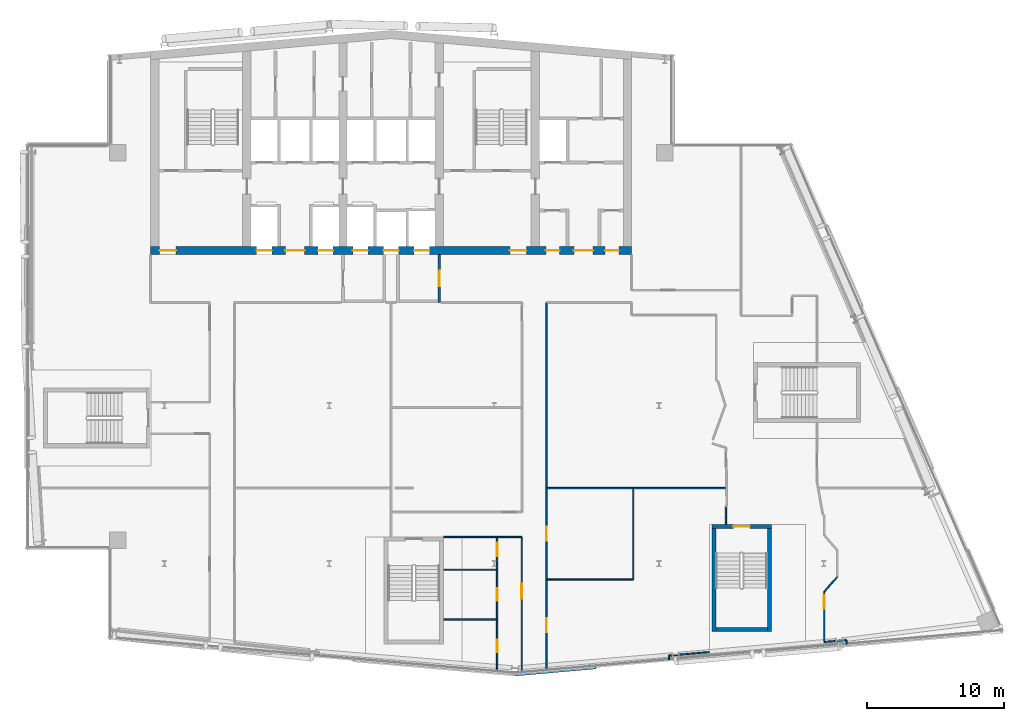
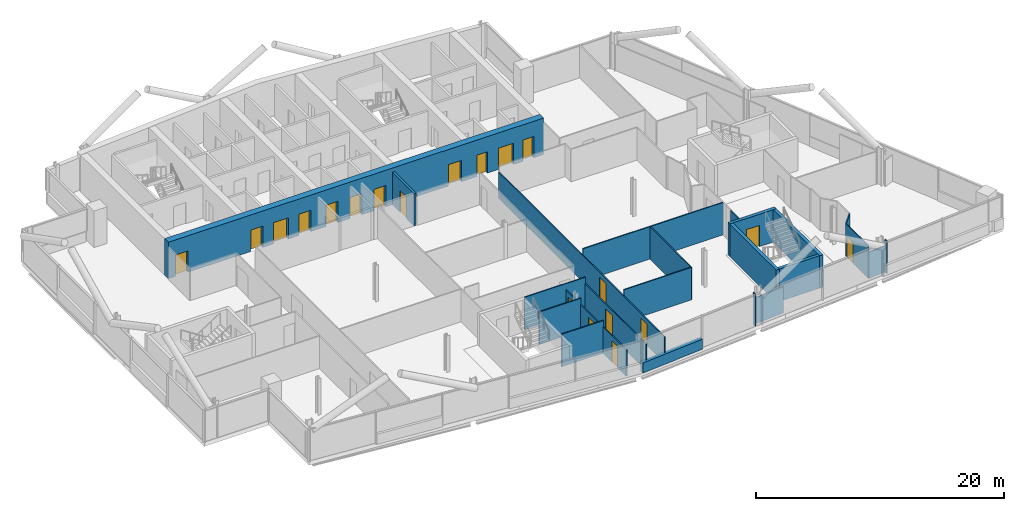
# One storey, part 16 of 28: 23 walls, 20 doors, 20 openings.
"""IFC4 building model written with IfcOpenShell, lengths in metres."""

from ifc_helpers import new_model, si_unit, direction, frame, frame_2d, origin, place, context, subcontext, project, spatial, rectangle, extrude, material, layer, layer_set, type_object, element, fill, save


model = new_model("IFC4")

# Units and contexts
model_context = context("Model", 3, precision=1e-05, world=origin(), true_north=direction((0.0, 1.0)))
body_context = subcontext(model_context, "Body", "Model", "MODEL_VIEW")
ifc_project = project(units=[si_unit("LENGTHUNIT", "METRE"), si_unit("AREAUNIT", "SQUARE_METRE"), si_unit("VOLUMEUNIT", "CUBIC_METRE"), si_unit("PLANEANGLEUNIT", "RADIAN"), si_unit("MASSUNIT", "GRAM", prefix="KILO")], contexts=[model_context])

# Site, building, storey
site_placement = place(None, origin())
site = spatial("IfcSite", under=ifc_project, at=site_placement, CompositionType="ELEMENT")
building_placement = place(site_placement, origin())
building = spatial("IfcBuilding", under=site, at=building_placement, Name="Wharfspan Tower", CompositionType="ELEMENT")
storey_placement = place(building_placement, frame((0.0, 0.0, 250.300049)))
storey = spatial("IfcBuildingStorey", under=building, at=storey_placement, Name="L63", CompositionType="ELEMENT", Elevation=250.300049)

# Wall
ifc_material_1 = material(Name="Gypsum board on steel studs", Category="steel")
ifc_layer_1 = layer(ifc_material_1, 0.100098)
ifc_layer_set_1 = layer_set([ifc_layer_1], Name="Gypsum board on steel studs")
wall_type_1 = type_object("IfcWallType", Name="Compartment wall 100 EI 60", PredefinedType="PARTITIONING", material=ifc_layer_set_1)
wall_1_placement = place(storey_placement, frame((44.327148, 13.439941, 0.0), z_axis=(0.0, 0.0, 1.0), x_axis=(1.0, 0.0, 0.0)))
element("IfcWall", 1, at=wall_1_placement, inside=storey, type_object=wall_type_1, Name="Partition L63.w025", PredefinedType="PARTITIONING", context=body_context, shape_type="SweptSolid", body=[
    extrude(rectangle(XDim=5.682861, YDim=0.100098, at=frame_2d((2.841309, 0.0))), origin(), (0.0, 0.0, 1.0), 3.199951),
])

# Wall, openings, doors
wall_2_placement = place(storey_placement, frame((48.219971, 3.626221, 0.0), z_axis=(0.0, 0.0, 1.0), x_axis=(0.0, 1.0, 0.0)))
wall_2 = element("IfcWall", 2, at=wall_2_placement, inside=storey, type_object=wall_type_1, Name="Partition L63.w026", PredefinedType="PARTITIONING", context=body_context, shape_type="SweptSolid", body=[
    extrude(rectangle(XDim=9.808838, YDim=0.100098, at=frame_2d((4.904297, 0.0))), origin(), (0.0, 0.0, 1.0), 2.579834),
])
opening_1_placement = place(wall_2_placement, frame((1.429688, 0.0, 0.0)))
opening_1 = element("IfcOpeningElement", 3, at=opening_1_placement, cuts=wall_2, Name="Opening D6-01", PredefinedType="OPENING", context=body_context, shape_type="SweptSolid", body=[
    extrude(rectangle(XDim=0.899902, YDim=2.100098, at=frame_2d((0.449951, 1.050049))), frame((0.0, 0.060059, 0.0), z_axis=(0.0, -1.0, 0.0), x_axis=(1.0, 0.0, 0.0)), (0.0, 0.0, 1.0), 0.120117),
])
opening_2_placement = place(wall_2_placement, frame((5.178711, 0.0, 0.0)))
opening_2 = element("IfcOpeningElement", 4, at=opening_2_placement, cuts=wall_2, Name="Opening D6-04", PredefinedType="OPENING", context=body_context, shape_type="SweptSolid", body=[
    extrude(rectangle(XDim=0.899902, YDim=2.100098, at=frame_2d((0.449951, 1.050049))), frame((0.0, 0.060059, 0.0), z_axis=(0.0, -1.0, 0.0), x_axis=(1.0, 0.0, 0.0)), (0.0, 0.0, 1.0), 0.120117),
])
opening_3_placement = place(wall_2_placement, frame((8.394531, 0.0, 0.0)))
opening_3 = element("IfcOpeningElement", 5, at=opening_3_placement, cuts=wall_2, Name="Opening D6-08", PredefinedType="OPENING", context=body_context, shape_type="SweptSolid", body=[
    extrude(rectangle(XDim=1.0, YDim=2.100098, at=frame_2d((0.5, 1.050049))), frame((0.0, 0.060059, 0.0), z_axis=(0.0, -1.0, 0.0), x_axis=(1.0, 0.0, 0.0)), (0.0, 0.0, 1.0), 0.120117),
])
ifc_material_2 = material(Name="Timber door leaf in steel frame", Category="steel")
door_type_1 = type_object("IfcDoorType", Name="Door 1000 NOT RATED Right", OperationType="SINGLE_SWING_RIGHT", PredefinedType="DOOR", material=ifc_material_2)
door_1_placement = place(opening_3_placement, origin())
door_1 = element("IfcDoor", 6, at=door_1_placement, inside=storey, type_object=door_type_1, Name="Door D6-08", OperationType="SINGLE_SWING_RIGHT", OverallHeight=2.100098, OverallWidth=1.0, PredefinedType="DOOR", context=body_context, shape_type="SweptSolid", body=[
    extrude(rectangle(XDim=1.0, YDim=2.100098, at=frame_2d((0.5, 1.050049))), frame((0.0, 0.024902, 0.0), z_axis=(0.0, -1.0, 0.0), x_axis=(1.0, 0.0, 0.0)), (0.0, 0.0, 1.0), 0.050049),
])
fill(opening_3, door_1)
door_type_2 = type_object("IfcDoorType", Name="Door 900 NOT RATED Left", OperationType="SINGLE_SWING_LEFT", PredefinedType="DOOR", material=ifc_material_2)
door_2_placement = place(opening_1_placement, origin())
door_2 = element("IfcDoor", 7, at=door_2_placement, inside=storey, type_object=door_type_2, Name="Door D6-01", OperationType="SINGLE_SWING_LEFT", OverallHeight=2.100098, OverallWidth=0.899902, PredefinedType="DOOR", context=body_context, shape_type="SweptSolid", body=[
    extrude(rectangle(XDim=0.899902, YDim=2.100098, at=frame_2d((0.449951, 1.050049))), frame((0.0, 0.024902, 0.0), z_axis=(0.0, -1.0, 0.0), x_axis=(1.0, 0.0, 0.0)), (0.0, 0.0, 1.0), 0.050049),
])
fill(opening_1, door_2)
door_type_3 = type_object("IfcDoorType", Name="Door 900 NOT RATED Right", OperationType="SINGLE_SWING_RIGHT", PredefinedType="DOOR", material=ifc_material_2)
door_3_placement = place(opening_2_placement, origin())
door_3 = element("IfcDoor", 8, at=door_3_placement, inside=storey, type_object=door_type_3, Name="Door D6-04", OperationType="SINGLE_SWING_RIGHT", OverallHeight=2.100098, OverallWidth=0.899902, PredefinedType="DOOR", context=body_context, shape_type="SweptSolid", body=[
    extrude(rectangle(XDim=0.899902, YDim=2.100098, at=frame_2d((0.449951, 1.050049))), frame((0.0, 0.024902, 0.0), z_axis=(0.0, -1.0, 0.0), x_axis=(1.0, 0.0, 0.0)), (0.0, 0.0, 1.0), 0.050049),
])
fill(opening_2, door_3)

# Wall, opening, door
wall_3_placement = place(storey_placement, frame((50.01001, 3.558838, 0.0), z_axis=(0.0, 0.0, 1.0), x_axis=(0.0, 1.0, 0.0)))
wall_3 = element("IfcWall", 9, at=wall_3_placement, inside=storey, type_object=wall_type_1, Name="Partition L63.w027", PredefinedType="PARTITIONING", context=body_context, shape_type="SweptSolid", body=[
    extrude(rectangle(XDim=9.876221, YDim=0.100098, at=frame_2d((4.937988, 0.0))), origin(), (0.0, 0.0, 1.0), 2.579834),
])
opening_4_placement = place(wall_3_placement, frame((5.38623, 0.0, 0.0)))
opening_4 = element("IfcOpeningElement", 10, at=opening_4_placement, cuts=wall_3, Name="Opening D6-05", PredefinedType="OPENING", context=body_context, shape_type="SweptSolid", body=[
    extrude(rectangle(XDim=1.100098, YDim=2.100098, at=frame_2d((0.550049, 1.050049))), frame((0.0, 0.060059, 0.0), z_axis=(0.0, -1.0, 0.0), x_axis=(1.0, 0.0, 0.0)), (0.0, 0.0, 1.0), 0.120117),
])
ifc_material_3 = material(Name="Fire-rated timber door leaf in steel frame", Category="steel")
door_type_4 = type_object("IfcDoorType", Name="Door 1100 FD30S Right", OperationType="SINGLE_SWING_RIGHT", PredefinedType="DOOR", material=ifc_material_3)
door_4_placement = place(opening_4_placement, origin())
door_4 = element("IfcDoor", 11, at=door_4_placement, inside=storey, type_object=door_type_4, Name="Door D6-05", OperationType="SINGLE_SWING_RIGHT", OverallHeight=2.100098, OverallWidth=1.100098, PredefinedType="DOOR", context=body_context, shape_type="SweptSolid", body=[
    extrude(rectangle(XDim=1.100098, YDim=2.100098, at=frame_2d((0.550049, 1.050049))), frame((0.0, 0.024902, 0.0), z_axis=(0.0, -1.0, 0.0), x_axis=(1.0, 0.0, 0.0)), (0.0, 0.0, 1.0), 0.050049),
])
fill(opening_4, door_4)

# Wall, openings, doors
wall_4_placement = place(storey_placement, frame((51.820068, 3.717285, 0.0), z_axis=(0.0, 0.0, 1.0), x_axis=(0.0, 1.0, 0.0)))
wall_4 = element("IfcWall", 12, at=wall_4_placement, inside=storey, type_object=wall_type_1, Name="Partition L63.w029", PredefinedType="PARTITIONING", context=body_context, shape_type="SweptSolid", body=[
    extrude(rectangle(XDim=26.782715, YDim=0.100098, at=frame_2d((13.391357, 0.0))), origin(), (0.0, 0.0, 1.0), 2.579834),
])
opening_5_placement = place(wall_4_placement, frame((2.797607, 0.0, 0.0)))
opening_5 = element("IfcOpeningElement", 13, at=opening_5_placement, cuts=wall_4, Name="Opening D6-02", PredefinedType="OPENING", context=body_context, shape_type="SweptSolid", body=[
    extrude(rectangle(XDim=1.0, YDim=2.100098, at=frame_2d((0.5, 1.050049))), frame((0.0, 0.060059, 0.0), z_axis=(0.0, -1.0, 0.0), x_axis=(1.0, 0.0, 0.0)), (0.0, 0.0, 1.0), 0.120117),
])
opening_6_placement = place(wall_4_placement, frame((9.452881, 0.0, 0.0)))
opening_6 = element("IfcOpeningElement", 14, at=opening_6_placement, cuts=wall_4, Name="Opening D6-09", PredefinedType="OPENING", context=body_context, shape_type="SweptSolid", body=[
    extrude(rectangle(XDim=1.0, YDim=2.100098, at=frame_2d((0.5, 1.050049))), frame((0.0, 0.060059, 0.0), z_axis=(0.0, -1.0, 0.0), x_axis=(1.0, 0.0, 0.0)), (0.0, 0.0, 1.0), 0.120117),
])
door_type_5 = type_object("IfcDoorType", Name="Door 1000 FD30S Left", OperationType="SINGLE_SWING_LEFT", PredefinedType="DOOR", material=ifc_material_3)
door_5_placement = place(opening_5_placement, origin())
door_5 = element("IfcDoor", 15, at=door_5_placement, inside=storey, type_object=door_type_5, Name="Door D6-02", OperationType="SINGLE_SWING_LEFT", OverallHeight=2.100098, OverallWidth=1.0, PredefinedType="DOOR", context=body_context, shape_type="SweptSolid", body=[
    extrude(rectangle(XDim=1.0, YDim=2.100098, at=frame_2d((0.5, 1.050049))), frame((0.0, 0.024902, 0.0), z_axis=(0.0, -1.0, 0.0), x_axis=(1.0, 0.0, 0.0)), (0.0, 0.0, 1.0), 0.050049),
])
fill(opening_5, door_5)
door_6_placement = place(opening_6_placement, origin())
door_6 = element("IfcDoor", 16, at=door_6_placement, inside=storey, type_object=door_type_5, Name="Door D6-09", OperationType="SINGLE_SWING_LEFT", OverallHeight=2.100098, OverallWidth=1.0, PredefinedType="DOOR", context=body_context, shape_type="SweptSolid", body=[
    extrude(rectangle(XDim=1.0, YDim=2.100098, at=frame_2d((0.5, 1.050049))), frame((0.0, 0.024902, 0.0), z_axis=(0.0, -1.0, 0.0), x_axis=(1.0, 0.0, 0.0)), (0.0, 0.0, 1.0), 0.050049),
])
fill(opening_6, door_6)

# Walls
wall_5_placement = place(storey_placement, frame((51.820068, 10.344971, 0.0), z_axis=(0.0, 0.0, 1.0), x_axis=(1.0, 0.0, 0.0)))
element("IfcWall", 17, at=wall_5_placement, inside=storey, type_object=wall_type_1, Name="Partition L63.w030", PredefinedType="PARTITIONING", context=body_context, shape_type="SweptSolid", body=[
    extrude(rectangle(XDim=6.304932, YDim=0.100098, at=frame_2d((3.152344, 0.0))), origin(), (0.0, 0.0, 1.0), 3.199951),
])
wall_6_placement = place(storey_placement, frame((51.820068, 16.995117, 0.0), z_axis=(0.0, 0.0, 1.0), x_axis=(1.0, 0.0, 0.0)))
element("IfcWall", 18, at=wall_6_placement, inside=storey, type_object=wall_type_1, Name="Partition L63.w031", PredefinedType="PARTITIONING", context=body_context, shape_type="SweptSolid", body=[
    extrude(rectangle(XDim=13.099854, YDim=0.100098, at=frame_2d((6.549805, 0.0))), origin(), (0.0, 0.0, 1.0), 3.199951),
])
wall_7_placement = place(storey_placement, frame((64.870117, 14.366211, 0.0), z_axis=(0.0, 0.0, 1.0), x_axis=(0.0, 1.0, 0.0)))
element("IfcWall", 19, at=wall_7_placement, inside=storey, type_object=wall_type_1, Name="Partition L63.w044", PredefinedType="PARTITIONING", context=body_context, shape_type="SweptSolid", body=[
    extrude(rectangle(XDim=1.278809, YDim=0.100098, at=frame_2d((0.639404, 0.0))), origin(), (0.0, 0.0, 1.0), 3.199951),
])

# Wall, opening, door
wall_8_placement = place(storey_placement, frame((72.024902, 5.794922, 0.0), z_axis=(0.0, 0.0, 1.0), x_axis=(0.0, 1.0, 0.0)))
wall_8 = element("IfcWall", 20, at=wall_8_placement, inside=storey, type_object=wall_type_1, Name="Partition L63.w058", PredefinedType="PARTITIONING", context=body_context, shape_type="SweptSolid", body=[
    extrude(rectangle(XDim=3.655029, YDim=0.100098, at=frame_2d((1.827637, 0.0))), origin(), (0.0, 0.0, 1.0), 3.199951),
])
opening_7_placement = place(wall_8_placement, frame((2.419678, 0.0, 0.0)))
opening_7 = element("IfcOpeningElement", 21, at=opening_7_placement, cuts=wall_8, Name="Opening D6-03", PredefinedType="OPENING", context=body_context, shape_type="SweptSolid", body=[
    extrude(rectangle(XDim=1.0, YDim=2.100098, at=frame_2d((0.5, 1.050049))), frame((0.0, 0.060059, 0.0), z_axis=(0.0, -1.0, 0.0), x_axis=(1.0, 0.0, 0.0)), (0.0, 0.0, 1.0), 0.120117),
])
door_type_6 = type_object("IfcDoorType", Name="Door 1000 FD30S Right", OperationType="SINGLE_SWING_RIGHT", PredefinedType="DOOR", material=ifc_material_3)
door_7_placement = place(opening_7_placement, origin())
door_7 = element("IfcDoor", 22, at=door_7_placement, inside=storey, type_object=door_type_6, Name="Door D6-03", OperationType="SINGLE_SWING_RIGHT", OverallHeight=2.100098, OverallWidth=1.0, PredefinedType="DOOR", context=body_context, shape_type="SweptSolid", body=[
    extrude(rectangle(XDim=1.0, YDim=2.100098, at=frame_2d((0.5, 1.050049))), frame((0.0, 0.024902, 0.0), z_axis=(0.0, -1.0, 0.0), x_axis=(1.0, 0.0, 0.0)), (0.0, 0.0, 1.0), 0.050049),
])
fill(opening_7, door_7)

# Walls
wall_9_placement = place(storey_placement, frame((72.024902, 5.794922, 0.0), z_axis=(0.0, 0.0, 1.0), x_axis=(0.996236, 0.086708, 0.0)))
element("IfcWall", 23, at=wall_9_placement, inside=storey, type_object=wall_type_1, Name="Partition L63.w061", PredefinedType="PARTITIONING", context=body_context, shape_type="SweptSolid", body=[
    extrude(rectangle(XDim=1.616211, YDim=0.100098, at=frame_2d((0.808105, 0.0))), origin(), (0.0, 0.0, 1.0), 2.579834),
])
wall_10_placement = place(storey_placement, frame((72.024902, 9.449951, 0.0), z_axis=(0.0, 0.0, 1.0), x_axis=(0.662295, 0.749251, 0.0)))
element("IfcWall", 24, at=wall_10_placement, inside=storey, type_object=wall_type_1, Name="Partition L63.w062", PredefinedType="PARTITIONING", context=body_context, shape_type="SweptSolid", body=[
    extrude(rectangle(XDim=1.434814, YDim=0.100098, at=frame_2d((0.717285, 0.0))), origin(), (0.0, 0.0, 1.0), 3.199951),
])

# Wall, openings, doors
ifc_material_4 = material(Name="Concrete C50/60", Category="concrete")
ifc_layer_2 = layer(ifc_material_4, 0.600098)
ifc_layer_set_2 = layer_set([ifc_layer_2], Name="Concrete C50/60")
wall_type_2 = type_object("IfcWallType", Name="Core wall 600 C50/60", PredefinedType="SHEAR", material=ifc_layer_set_2)
wall_11_placement = place(storey_placement, frame((23.0, 34.300049, 0.0), z_axis=(0.0, 0.0, 1.0), x_axis=(1.0, 0.0, 0.0)))
wall_11 = element("IfcWall", 25, at=wall_11_placement, inside=storey, type_object=wall_type_2, Name="Core front wall L63", PredefinedType="SHEAR", context=body_context, shape_type="SweptSolid", body=[
    extrude(rectangle(XDim=35.0, YDim=0.600098, at=frame_2d((17.5, 0.0))), origin(), (0.0, 0.0, 1.0), 3.599854),
])
opening_8_placement = place(wall_11_placement, frame((0.649902, 0.0, 0.0)))
opening_8 = element("IfcOpeningElement", 26, at=opening_8_placement, cuts=wall_11, Name="Opening SV2.L63", PredefinedType="OPENING", context=body_context, shape_type="SweptSolid", body=[
    extrude(rectangle(XDim=1.199951, YDim=2.100098, at=frame_2d((0.600098, 1.050049))), frame((0.0, 0.310059, 0.0), z_axis=(0.0, -1.0, 0.0), x_axis=(1.0, 0.0, 0.0)), (0.0, 0.0, 1.0), 0.620117),
])
opening_9_placement = place(wall_11_placement, frame((7.716797, 0.0, 0.0)))
opening_9 = element("IfcOpeningElement", 27, at=opening_9_placement, cuts=wall_11, Name="Opening LD.SL1.L63", PredefinedType="OPENING", context=body_context, shape_type="SweptSolid", body=[
    extrude(rectangle(XDim=1.100098, YDim=2.100098, at=frame_2d((0.550049, 1.050049))), frame((0.0, 0.310059, 0.0), z_axis=(0.0, -1.0, 0.0), x_axis=(1.0, 0.0, 0.0)), (0.0, 0.0, 1.0), 0.620117),
])
opening_10_placement = place(wall_11_placement, frame((12.18335, 0.0, 0.0)))
opening_10 = element("IfcOpeningElement", 28, at=opening_10_placement, cuts=wall_11, Name="Opening LD.SL2.L63", PredefinedType="OPENING", context=body_context, shape_type="SweptSolid", body=[
    extrude(rectangle(XDim=1.100098, YDim=2.100098, at=frame_2d((0.550049, 1.050049))), frame((0.0, 0.310059, 0.0), z_axis=(0.0, -1.0, 0.0), x_axis=(1.0, 0.0, 0.0)), (0.0, 0.0, 1.0), 0.620117),
])
opening_11_placement = place(wall_11_placement, frame((9.800049, 0.0, 0.0)))
opening_11 = element("IfcOpeningElement", 29, at=opening_11_placement, cuts=wall_11, Name="Opening HD63.3", PredefinedType="OPENING", context=body_context, shape_type="SweptSolid", body=[
    extrude(rectangle(XDim=1.399902, YDim=2.100098, at=frame_2d((0.699951, 1.050049))), frame((0.0, 0.310059, 0.0), z_axis=(0.0, -1.0, 0.0), x_axis=(1.0, 0.0, 0.0)), (0.0, 0.0, 1.0), 0.620117),
])
opening_12_placement = place(wall_11_placement, frame((14.716797, 0.0, 0.0)))
opening_12 = element("IfcOpeningElement", 30, at=opening_12_placement, cuts=wall_11, Name="Opening LD.FF1.L63", PredefinedType="OPENING", context=body_context, shape_type="SweptSolid", body=[
    extrude(rectangle(XDim=1.100098, YDim=2.100098, at=frame_2d((0.550049, 1.050049))), frame((0.0, 0.310059, 0.0), z_axis=(0.0, -1.0, 0.0), x_axis=(1.0, 0.0, 0.0)), (0.0, 0.0, 1.0), 0.620117),
])
opening_13_placement = place(wall_11_placement, frame((16.949951, 0.0, 0.0)))
opening_13 = element("IfcOpeningElement", 31, at=opening_13_placement, cuts=wall_11, Name="Opening LD.LB7.L63", PredefinedType="OPENING", context=body_context, shape_type="SweptSolid", body=[
    extrude(rectangle(XDim=1.100098, YDim=2.100098, at=frame_2d((0.550049, 1.050049))), frame((0.0, 0.310059, 0.0), z_axis=(0.0, -1.0, 0.0), x_axis=(1.0, 0.0, 0.0)), (0.0, 0.0, 1.0), 0.620117),
])
opening_14_placement = place(wall_11_placement, frame((19.18335, 0.0, 0.0)))
opening_14 = element("IfcOpeningElement", 32, at=opening_14_placement, cuts=wall_11, Name="Opening LD.FF2.L63", PredefinedType="OPENING", context=body_context, shape_type="SweptSolid", body=[
    extrude(rectangle(XDim=1.100098, YDim=2.100098, at=frame_2d((0.550049, 1.050049))), frame((0.0, 0.310059, 0.0), z_axis=(0.0, -1.0, 0.0), x_axis=(1.0, 0.0, 0.0)), (0.0, 0.0, 1.0), 0.620117),
])
opening_15_placement = place(wall_11_placement, frame((26.149902, 0.0, 0.0)))
opening_15 = element("IfcOpeningElement", 33, at=opening_15_placement, cuts=wall_11, Name="Opening SV5.L63", PredefinedType="OPENING", context=body_context, shape_type="SweptSolid", body=[
    extrude(rectangle(XDim=1.199951, YDim=2.100098, at=frame_2d((0.600098, 1.050049))), frame((0.0, 0.310059, 0.0), z_axis=(0.0, -1.0, 0.0), x_axis=(1.0, 0.0, 0.0)), (0.0, 0.0, 1.0), 0.620117),
])
opening_16_placement = place(wall_11_placement, frame((28.766602, 0.0, 0.0)))
opening_16 = element("IfcOpeningElement", 34, at=opening_16_placement, cuts=wall_11, Name="Opening CD63.6F1", PredefinedType="OPENING", context=body_context, shape_type="SweptSolid", body=[
    extrude(rectangle(XDim=1.0, YDim=2.100098, at=frame_2d((0.5, 1.050049))), frame((0.0, 0.310059, 0.0), z_axis=(0.0, -1.0, 0.0), x_axis=(1.0, 0.0, 0.0)), (0.0, 0.0, 1.0), 0.620117),
])
opening_17_placement = place(wall_11_placement, frame((33.083252, 0.0, 0.0)))
opening_17 = element("IfcOpeningElement", 35, at=opening_17_placement, cuts=wall_11, Name="Opening CD63.6F3", PredefinedType="OPENING", context=body_context, shape_type="SweptSolid", body=[
    extrude(rectangle(XDim=1.0, YDim=2.100098, at=frame_2d((0.5, 1.050049))), frame((0.0, 0.310059, 0.0), z_axis=(0.0, -1.0, 0.0), x_axis=(1.0, 0.0, 0.0)), (0.0, 0.0, 1.0), 0.620117),
])
opening_18_placement = place(wall_11_placement, frame((30.800049, 0.0, 0.0)))
opening_18 = element("IfcOpeningElement", 36, at=opening_18_placement, cuts=wall_11, Name="Opening HD63.6", PredefinedType="OPENING", context=body_context, shape_type="SweptSolid", body=[
    extrude(rectangle(XDim=1.399902, YDim=2.100098, at=frame_2d((0.699951, 1.050049))), frame((0.0, 0.310059, 0.0), z_axis=(0.0, -1.0, 0.0), x_axis=(1.0, 0.0, 0.0)), (0.0, 0.0, 1.0), 0.620117),
])
ifc_material_5 = material(Name="Steel door leaf", Category="steel")
door_type_7 = type_object("IfcDoorType", Name="Core room door 1000x2100", OperationType="SINGLE_SWING_LEFT", PredefinedType="DOOR", material=ifc_material_5)
door_8_placement = place(opening_16_placement, origin())
door_8 = element("IfcDoor", 37, at=door_8_placement, inside=storey, type_object=door_type_7, Name="d:L63:6:fd6.1", OperationType="SINGLE_SWING_LEFT", OverallHeight=2.100098, OverallWidth=1.0, PredefinedType="DOOR", context=body_context, shape_type="SweptSolid", body=[
    extrude(rectangle(XDim=1.0, YDim=2.100098, at=frame_2d((0.5, 1.050049))), frame((0.0, 0.024902, 0.0), z_axis=(0.0, -1.0, 0.0), x_axis=(1.0, 0.0, 0.0)), (0.0, 0.0, 1.0), 0.050049),
])
fill(opening_16, door_8)
door_9_placement = place(opening_17_placement, origin())
door_9 = element("IfcDoor", 38, at=door_9_placement, inside=storey, type_object=door_type_7, Name="d:L63:6:fd6.3", OperationType="SINGLE_SWING_LEFT", OverallHeight=2.100098, OverallWidth=1.0, PredefinedType="DOOR", context=body_context, shape_type="SweptSolid", body=[
    extrude(rectangle(XDim=1.0, YDim=2.100098, at=frame_2d((0.5, 1.050049))), frame((0.0, 0.024902, 0.0), z_axis=(0.0, -1.0, 0.0), x_axis=(1.0, 0.0, 0.0)), (0.0, 0.0, 1.0), 0.050049),
])
fill(opening_17, door_9)
door_type_8 = type_object("IfcDoorType", Name="Hall entry door 1400x2100", OperationType="DOUBLE_DOOR_SINGLE_SWING", PredefinedType="DOOR", material=ifc_material_5)
door_10_placement = place(opening_11_placement, origin())
door_10 = element("IfcDoor", 39, at=door_10_placement, inside=storey, type_object=door_type_8, Name="d:L63:3:hd3", OperationType="DOUBLE_DOOR_SINGLE_SWING", OverallHeight=2.100098, OverallWidth=1.399902, PredefinedType="DOOR", context=body_context, shape_type="SweptSolid", body=[
    extrude(rectangle(XDim=1.399902, YDim=2.100098, at=frame_2d((0.699951, 1.050049))), frame((0.0, 0.024902, 0.0), z_axis=(0.0, -1.0, 0.0), x_axis=(1.0, 0.0, 0.0)), (0.0, 0.0, 1.0), 0.050049),
])
fill(opening_11, door_10)
door_11_placement = place(opening_18_placement, origin())
door_11 = element("IfcDoor", 40, at=door_11_placement, inside=storey, type_object=door_type_8, Name="d:L63:6:hd6", OperationType="DOUBLE_DOOR_SINGLE_SWING", OverallHeight=2.100098, OverallWidth=1.399902, PredefinedType="DOOR", context=body_context, shape_type="SweptSolid", body=[
    extrude(rectangle(XDim=1.399902, YDim=2.100098, at=frame_2d((0.699951, 1.050049))), frame((0.0, 0.024902, 0.0), z_axis=(0.0, -1.0, 0.0), x_axis=(1.0, 0.0, 0.0)), (0.0, 0.0, 1.0), 0.050049),
])
fill(opening_18, door_11)
ifc_material_6 = material(Name="Stainless steel", Category="steel")
door_type_9 = type_object("IfcDoorType", Name="Lift landing door 1100x2100", OperationType="DOUBLE_DOOR_SLIDING", PredefinedType="DOOR", material=ifc_material_6)
door_12_placement = place(opening_9_placement, origin())
door_12 = element("IfcDoor", 41, at=door_12_placement, inside=storey, type_object=door_type_9, Name="Landing door SL1 L63", OperationType="DOUBLE_DOOR_SLIDING", OverallHeight=2.100098, OverallWidth=1.100098, PredefinedType="DOOR", context=body_context, shape_type="SweptSolid", body=[
    extrude(rectangle(XDim=1.100098, YDim=2.100098, at=frame_2d((0.550049, 1.050049))), frame((0.0, 0.024902, 0.0), z_axis=(0.0, -1.0, 0.0), x_axis=(1.0, 0.0, 0.0)), (0.0, 0.0, 1.0), 0.050049),
])
fill(opening_9, door_12)
door_13_placement = place(opening_10_placement, origin())
door_13 = element("IfcDoor", 42, at=door_13_placement, inside=storey, type_object=door_type_9, Name="Landing door SL2 L63", OperationType="DOUBLE_DOOR_SLIDING", OverallHeight=2.100098, OverallWidth=1.100098, PredefinedType="DOOR", context=body_context, shape_type="SweptSolid", body=[
    extrude(rectangle(XDim=1.100098, YDim=2.100098, at=frame_2d((0.550049, 1.050049))), frame((0.0, 0.024902, 0.0), z_axis=(0.0, -1.0, 0.0), x_axis=(1.0, 0.0, 0.0)), (0.0, 0.0, 1.0), 0.050049),
])
fill(opening_10, door_13)
door_14_placement = place(opening_12_placement, origin())
door_14 = element("IfcDoor", 43, at=door_14_placement, inside=storey, type_object=door_type_9, Name="Landing door FF1 L63", OperationType="DOUBLE_DOOR_SLIDING", OverallHeight=2.100098, OverallWidth=1.100098, PredefinedType="DOOR", context=body_context, shape_type="SweptSolid", body=[
    extrude(rectangle(XDim=1.100098, YDim=2.100098, at=frame_2d((0.550049, 1.050049))), frame((0.0, 0.024902, 0.0), z_axis=(0.0, -1.0, 0.0), x_axis=(1.0, 0.0, 0.0)), (0.0, 0.0, 1.0), 0.050049),
])
fill(opening_12, door_14)
door_15_placement = place(opening_13_placement, origin())
door_15 = element("IfcDoor", 44, at=door_15_placement, inside=storey, type_object=door_type_9, Name="Landing door LB7 L63", OperationType="DOUBLE_DOOR_SLIDING", OverallHeight=2.100098, OverallWidth=1.100098, PredefinedType="DOOR", context=body_context, shape_type="SweptSolid", body=[
    extrude(rectangle(XDim=1.100098, YDim=2.100098, at=frame_2d((0.550049, 1.050049))), frame((0.0, 0.024902, 0.0), z_axis=(0.0, -1.0, 0.0), x_axis=(1.0, 0.0, 0.0)), (0.0, 0.0, 1.0), 0.050049),
])
fill(opening_13, door_15)
door_16_placement = place(opening_14_placement, origin())
door_16 = element("IfcDoor", 45, at=door_16_placement, inside=storey, type_object=door_type_9, Name="Landing door FF2 L63", OperationType="DOUBLE_DOOR_SLIDING", OverallHeight=2.100098, OverallWidth=1.100098, PredefinedType="DOOR", context=body_context, shape_type="SweptSolid", body=[
    extrude(rectangle(XDim=1.100098, YDim=2.100098, at=frame_2d((0.550049, 1.050049))), frame((0.0, 0.024902, 0.0), z_axis=(0.0, -1.0, 0.0), x_axis=(1.0, 0.0, 0.0)), (0.0, 0.0, 1.0), 0.050049),
])
fill(opening_14, door_16)
door_type_10 = type_object("IfcDoorType", Name="Stair door 1200x2100", OperationType="SINGLE_SWING_LEFT", PredefinedType="DOOR", material=ifc_material_5)
door_17_placement = place(opening_8_placement, origin())
door_17 = element("IfcDoor", 46, at=door_17_placement, inside=storey, type_object=door_type_10, Name="vd:L63:2", OperationType="SINGLE_SWING_LEFT", OverallHeight=2.100098, OverallWidth=1.199951, PredefinedType="DOOR", context=body_context, shape_type="SweptSolid", body=[
    extrude(rectangle(XDim=1.199951, YDim=2.100098, at=frame_2d((0.600098, 1.050049))), frame((0.0, 0.024902, 0.0), z_axis=(0.0, -1.0, 0.0), x_axis=(1.0, 0.0, 0.0)), (0.0, 0.0, 1.0), 0.050049),
])
fill(opening_8, door_17)
door_18_placement = place(opening_15_placement, origin())
door_18 = element("IfcDoor", 47, at=door_18_placement, inside=storey, type_object=door_type_10, Name="vd:L63:5", OperationType="SINGLE_SWING_LEFT", OverallHeight=2.100098, OverallWidth=1.199951, PredefinedType="DOOR", context=body_context, shape_type="SweptSolid", body=[
    extrude(rectangle(XDim=1.199951, YDim=2.100098, at=frame_2d((0.600098, 1.050049))), frame((0.0, 0.024902, 0.0), z_axis=(0.0, -1.0, 0.0), x_axis=(1.0, 0.0, 0.0)), (0.0, 0.0, 1.0), 0.050049),
])
fill(opening_15, door_18)

# Wall, opening, door
ifc_material_7 = material(Name="Concrete C30/37", Category="concrete")
ifc_layer_3 = layer(ifc_material_7, 0.199951)
ifc_layer_set_3 = layer_set([ifc_layer_3], Name="Concrete C30/37")
wall_type_3 = type_object("IfcWallType", Name="Lobby wall 200", PredefinedType="PARTITIONING", material=ifc_layer_set_3)
wall_12_placement = place(storey_placement, frame((44.0, 30.5, 0.0), z_axis=(0.0, 0.0, 1.0), x_axis=(0.0, 1.0, 0.0)))
wall_12 = element("IfcWall", 48, at=wall_12_placement, inside=storey, type_object=wall_type_3, Name="sw:L63:FLFF2E", PredefinedType="PARTITIONING", context=body_context, shape_type="SweptSolid", body=[
    extrude(rectangle(XDim=3.5, YDim=0.199951, at=frame_2d((1.75, 0.0))), origin(), (0.0, 0.0, 1.0), 3.199951),
])
opening_19_placement = place(wall_12_placement, frame((1.199951, 0.0, 0.0)))
opening_19 = element("IfcOpeningElement", 49, at=opening_19_placement, cuts=wall_12, Name="Opening FL.FF2.L63", PredefinedType="OPENING", context=body_context, shape_type="SweptSolid", body=[
    extrude(rectangle(XDim=1.100098, YDim=2.100098, at=frame_2d((0.550049, 1.050049))), frame((0.0, 0.109863, 0.0), z_axis=(0.0, -1.0, 0.0), x_axis=(1.0, 0.0, 0.0)), (0.0, 0.0, 1.0), 0.219971),
])
door_type_11 = type_object("IfcDoorType", Name="Firefighting lobby door 1100x2100", OperationType="SINGLE_SWING_LEFT", PredefinedType="DOOR", material=ifc_material_5)
door_19_placement = place(opening_19_placement, origin())
door_19 = element("IfcDoor", 50, at=door_19_placement, inside=storey, type_object=door_type_11, Name="fd:L63:FF2", OperationType="SINGLE_SWING_LEFT", OverallHeight=2.100098, OverallWidth=1.100098, PredefinedType="DOOR", context=body_context, shape_type="SweptSolid", body=[
    extrude(rectangle(XDim=1.100098, YDim=2.100098, at=frame_2d((0.550049, 1.050049))), frame((0.0, 0.024902, 0.0), z_axis=(0.0, -1.0, 0.0), x_axis=(1.0, 0.0, 0.0)), (0.0, 0.0, 1.0), 0.050049),
])
fill(opening_19, door_19)

# Walls
ifc_layer_4 = layer(ifc_material_1, 0.100098)
ifc_layer_set_4 = layer_set([ifc_layer_4], Name="Gypsum board on steel studs")
wall_type_4 = type_object("IfcWallType", Name="Partition 100", PredefinedType="PARTITIONING", material=ifc_layer_set_4)
for number, where, z_axis, x_axis, name in (
    (51, (44.327148, 7.425049, 0.0), (0.0, 0.0, 1.0), (1.0, 0.0, 0.0), "Partition L63.w023"),
    (52, (44.327148, 11.054932, 0.0), (0.0, 0.0, 1.0), (1.0, 0.0, 0.0), "Partition L63.w024"),
):
    element("IfcWall", number, at=place(storey_placement, frame(where, z_axis=z_axis, x_axis=x_axis)), inside=storey, type_object=wall_type_4, Name=name, PredefinedType="PARTITIONING", context=body_context, shape_type="SweptSolid", body=[
        extrude(rectangle(XDim=3.892822, YDim=0.100098, at=frame_2d((1.946289, 0.0))), origin(), (0.0, 0.0, 1.0), 3.199951),
    ])
wall_13_placement = place(storey_placement, frame((58.125, 10.350098, 0.0), z_axis=(0.0, 0.0, 1.0), x_axis=(0.0, 1.0, 0.0)))
element("IfcWall", 53, at=wall_13_placement, inside=storey, type_object=wall_type_4, Name="Partition L63.w037", PredefinedType="PARTITIONING", context=body_context, shape_type="SweptSolid", body=[
    extrude(rectangle(XDim=6.64502, YDim=0.100098, at=frame_2d((3.32251, 0.0))), origin(), (0.0, 0.0, 1.0), 3.199951),
])
wall_14_placement = place(storey_placement, frame((60.705078, 4.804932, 0.0), z_axis=(0.0, 0.0, 1.0), x_axis=(0.996324, 0.085692, 0.0)))
element("IfcWall", 54, at=wall_14_placement, inside=storey, type_object=wall_type_4, Name="Partition L63.w038", PredefinedType="PARTITIONING", context=body_context, shape_type="SweptSolid", body=[
    extrude(rectangle(XDim=2.95459, YDim=0.100098, at=frame_2d((1.477295, 0.0))), origin(), (0.0, 0.0, 1.0), 2.579834),
])
wall_15_placement = place(storey_placement, frame((60.73291, 4.49707, 0.0), z_axis=(0.0, 0.0, 1.0), x_axis=(-0.090037, 0.995936, 0.0)))
element("IfcWall", 55, at=wall_15_placement, inside=storey, type_object=wall_type_4, Name="Partition L63.w039", PredefinedType="PARTITIONING", context=body_context, shape_type="SweptSolid", body=[
    extrude(rectangle(XDim=0.309082, YDim=0.100098, at=frame_2d((0.154541, 0.0))), origin(), (0.0, 0.0, 1.0), 3.199951),
])
wall_16_placement = place(storey_placement, frame((73.66333, 5.628174, 0.0), z_axis=(0.0, 0.0, 1.0), x_axis=(-0.091893, 0.995772, 0.0)))
element("IfcWall", 56, at=wall_16_placement, inside=storey, type_object=wall_type_4, Name="Partition L63.w065", PredefinedType="PARTITIONING", context=body_context, shape_type="SweptSolid", body=[
    extrude(rectangle(XDim=0.308105, YDim=0.100098, at=frame_2d((0.154053, 0.0))), origin(), (0.0, 0.0, 1.0), 3.199951),
])
ifc_material_8 = material(Name="Concrete C40/50", Category="concrete")
ifc_layer_5 = layer(ifc_material_8, 0.350098)
ifc_layer_set_5 = layer_set([ifc_layer_5], Name="Concrete C40/50")
wall_type_5 = type_object("IfcWallType", Name="SPANDREL EXPOSED CONCRETE 350", PredefinedType="SOLIDWALL", material=ifc_layer_set_5)
wall_17_placement = place(storey_placement, frame((49.54541, 3.493164, 0.0), z_axis=(0.0, 0.0, 1.0), x_axis=(0.996196, 0.087138, 0.0)))
element("IfcWall", 57, at=wall_17_placement, inside=storey, type_object=wall_type_5, Name="Spandrel upstand L63 S2 1", PredefinedType="SOLIDWALL", context=body_context, shape_type="SweptSolid", body=[
    extrude(rectangle(XDim=5.864014, YDim=0.350098, at=frame_2d((2.932129, 0.0))), origin(), (0.0, 0.0, 1.0), 1.0),
])

# Wall, opening, door
ifc_layer_6 = layer(ifc_material_8, 0.300049)
ifc_layer_set_6 = layer_set([ifc_layer_6], Name="Concrete C40/50")
wall_type_6 = type_object("IfcWallType", Name="Stair core wall 300", PredefinedType="SHEAR", material=ifc_layer_set_6)
wall_18_placement = place(storey_placement, frame((63.84375, 14.196289, 0.0), z_axis=(0.0, 0.0, 1.0), x_axis=(1.0, 0.0, 0.0)))
wall_18 = element("IfcWall", 58, at=wall_18_placement, inside=storey, type_object=wall_type_6, Name="ST5 stair enclosure wall L63", PredefinedType="SHEAR", context=body_context, shape_type="SweptSolid", body=[
    extrude(rectangle(XDim=4.350098, YDim=0.300049, at=frame_2d((2.175049, 0.0))), origin(), (0.0, 0.0, 1.0), 3.199951),
])
opening_20_placement = place(wall_18_placement, frame((1.574951, 0.0, 0.0)))
opening_20 = element("IfcOpeningElement", 59, at=opening_20_placement, cuts=wall_18, Name="Opening SD5.L63", PredefinedType="OPENING", context=body_context, shape_type="SweptSolid", body=[
    extrude(rectangle(XDim=1.199951, YDim=2.100098, at=frame_2d((0.600098, 1.050049))), frame((0.0, 0.159912, 0.0), z_axis=(0.0, -1.0, 0.0), x_axis=(1.0, 0.0, 0.0)), (0.0, 0.0, 1.0), 0.320068),
])
door_20_placement = place(opening_20_placement, origin())
door_20 = element("IfcDoor", 60, at=door_20_placement, inside=storey, type_object=door_type_10, Name="sd:L63:ST5z4", OperationType="SINGLE_SWING_RIGHT", OverallHeight=2.100098, OverallWidth=1.199951, PredefinedType="DOOR", context=body_context, shape_type="SweptSolid", body=[
    extrude(rectangle(XDim=1.199951, YDim=2.100098, at=frame_2d((0.600098, 1.050049))), frame((0.0, 0.024902, 0.0), z_axis=(0.0, -1.0, 0.0), x_axis=(1.0, 0.0, 0.0)), (0.0, 0.0, 1.0), 0.050049),
])
fill(opening_20, door_20)

# Walls
for number, where, z_axis, x_axis, name in (
    (61, (63.993896, 6.546143, 0.0), (0.0, 0.0, 1.0), (0.0, 1.0, 0.0), "ST5 stair enclosure wall L63"),
    (62, (68.043701, 6.546143, 0.0), (0.0, 0.0, 1.0), (0.0, 1.0, 0.0), "ST5 stair enclosure wall L63"),
):
    element("IfcWall", number, at=place(storey_placement, frame(where, z_axis=z_axis, x_axis=x_axis)), inside=storey, type_object=wall_type_6, Name=name, PredefinedType="SHEAR", context=body_context, shape_type="SweptSolid", body=[
        extrude(rectangle(XDim=7.5, YDim=0.300049, at=frame_2d((3.75, 0.0))), origin(), (0.0, 0.0, 1.0), 3.199951),
    ])
wall_19_placement = place(storey_placement, frame((64.143799, 6.696289, 0.0), z_axis=(0.0, 0.0, 1.0), x_axis=(1.0, 0.0, 0.0)))
element("IfcWall", 63, at=wall_19_placement, inside=storey, type_object=wall_type_6, Name="ST5 stair enclosure wall L63", PredefinedType="SHEAR", context=body_context, shape_type="SweptSolid", body=[
    extrude(rectangle(XDim=3.75, YDim=0.300049, at=frame_2d((1.875, 0.0))), origin(), (0.0, 0.0, 1.0), 3.199951),
])

save(model, "model.ifc")
